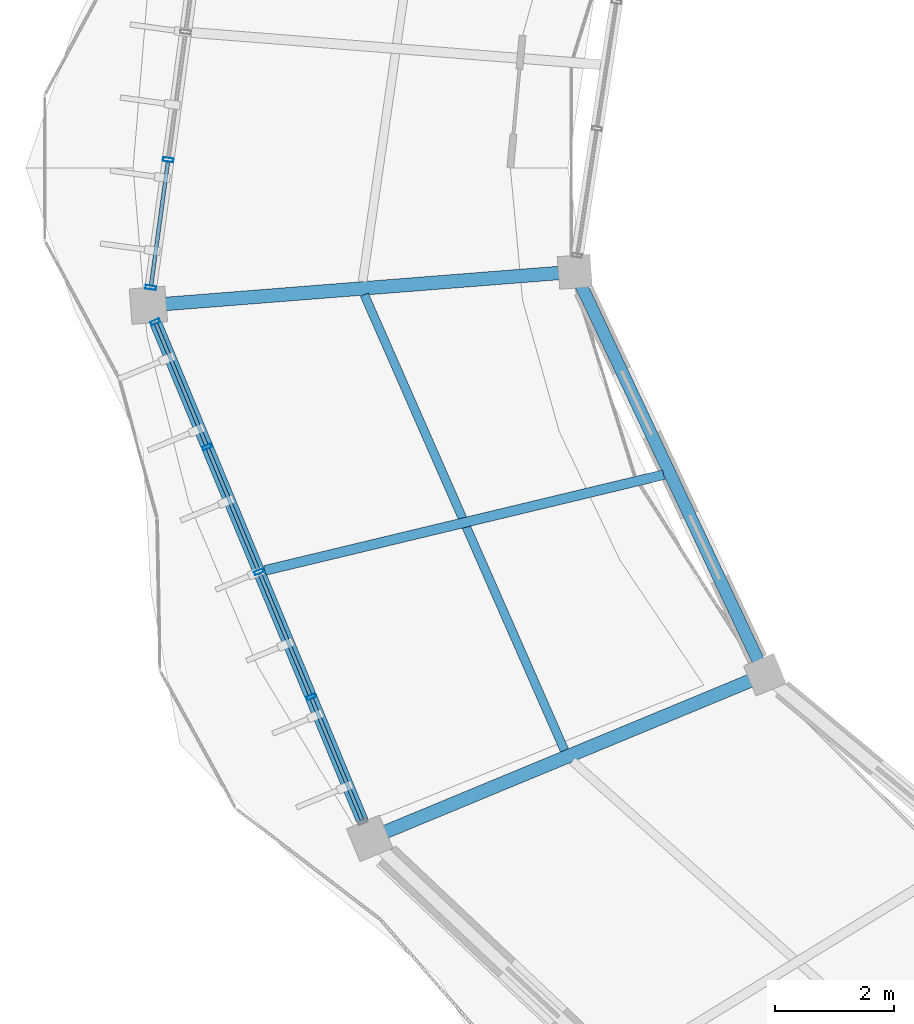
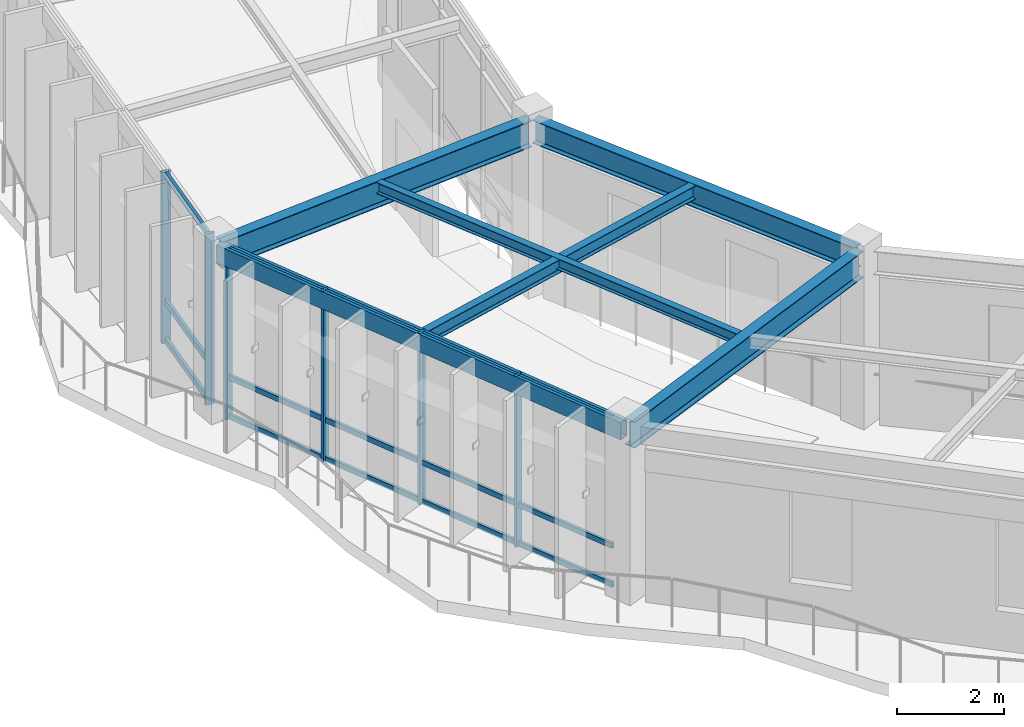
# One storey, part 17 of 83: 21 members, 6 beams, 2 elements without a shape of their own.
"""IFC4 building model written with IfcOpenShell, lengths in metres."""

from ifc_helpers import new_model, si_unit, direction, frame, origin, origin_2d, place, context, subcontext, project, spatial, hollow_rectangle, i_section, extrude, material, material_profile, profile_set, type_object, element, aggregate, save


model = new_model("IFC4")

# Units and contexts
model_context = context("Model", 3, precision=1e-05, world=origin(), true_north=direction((0.0, 1.0)))
body_context = subcontext(model_context, "Body", "Model", "MODEL_VIEW")
ifc_project = project(units=[si_unit("LENGTHUNIT", "METRE"), si_unit("AREAUNIT", "SQUARE_METRE"), si_unit("VOLUMEUNIT", "CUBIC_METRE"), si_unit("PLANEANGLEUNIT", "RADIAN"), si_unit("MASSUNIT", "GRAM", prefix="KILO"), si_unit("THERMODYNAMICTEMPERATUREUNIT", "KELVIN"), si_unit("POWERUNIT", "WATT")], contexts=[model_context])

# Site, building, storey
site_placement = place(None, origin())
site = spatial("IfcSite", under=ifc_project, at=site_placement, CompositionType="ELEMENT")
building_placement = place(site_placement, origin())
building = spatial("IfcBuilding", under=site, at=building_placement, Name="Darbajah Civic Hall", CompositionType="ELEMENT")
storey_placement = place(building_placement, frame((0.0, 0.0, 18.0)))
storey = spatial("IfcBuildingStorey", under=building, at=storey_placement, Name="L04", CompositionType="ELEMENT", Elevation=18.0)

# Curtain wall, members
ifc_material_1 = material(Name="Anodised Bronze Aluminium and Low-E Glazing", Category="aluminium")
curtain_wall_type_1 = type_object("IfcCurtainWallType", Name="Unitised Curtain Wall CW-59 9100x3900", PredefinedType="USERDEFINED", material=ifc_material_1)
curtain_wall_1_placement = place(storey_placement, origin())
curtain_wall_1 = element("IfcCurtainWall", 1, at=curtain_wall_1_placement, inside=storey, type_object=curtain_wall_type_1, Name="L04 unitised curtain wall CW-V1O-L04-10", ObjectType="UNITISED CURTAIN WALL", PredefinedType="USERDEFINED")
ifc_material_2 = material(Name="Anodised Bronze Aluminium", Category="aluminium")
ifc_material_profile_1 = material_profile(ifc_material_2, hollow_rectangle(XDim=0.06005859375, YDim=0.159912109375, WallThickness=0.00341796875, at=origin_2d()), Name="ALU MULLION 60x160")
ifc_profile_set_1 = profile_set([ifc_material_profile_1], Name="Anodised Bronze Aluminium")
member_type_1 = type_object("IfcMemberType", Name="ALU MULLION 60x160", PredefinedType="MULLION", material=ifc_profile_set_1)
member_1_placement = place(storey_placement, frame((38.373046875, 87.20654296875, 0.0), z_axis=(0.0, 0.0, 1.0), x_axis=(0.383328328644, -0.923612143954, 0.0)))
member_1 = element("IfcMember", 2, at=member_1_placement, type_object=member_type_1, Name="CW-V1O-L04-10 mullion 1", PredefinedType="MULLION", context=body_context, shape_type="SweptSolid", body=[
    extrude(hollow_rectangle(XDim=0.06005859375, YDim=0.159912109375, WallThickness=0.00341796875, at=origin_2d()), origin(), (0.0, 0.0, 1.0), 3.919921875),
])
member_2_placement = place(storey_placement, frame((39.246337890625, 85.102294921875, 0.0), z_axis=(0.0, 0.0, 1.0), x_axis=(0.383328328644, -0.923612143954, 0.0)))
member_2 = element("IfcMember", 3, at=member_2_placement, type_object=member_type_1, Name="CW-V1O-L04-10 mullion 2", PredefinedType="MULLION", context=body_context, shape_type="SweptSolid", body=[
    extrude(hollow_rectangle(XDim=0.06005859375, YDim=0.159912109375, WallThickness=0.00341796875, at=origin_2d()), origin(), (0.0, 0.0, 1.0), 3.919921875),
])
member_3_placement = place(storey_placement, frame((40.11962890625, 82.998046875, 0.0), z_axis=(0.0, 0.0, 1.0), x_axis=(0.383328328644, -0.923612143954, 0.0)))
member_3 = element("IfcMember", 4, at=member_3_placement, type_object=member_type_1, Name="CW-V1O-L04-10 mullion 3", PredefinedType="MULLION", context=body_context, shape_type="SweptSolid", body=[
    extrude(hollow_rectangle(XDim=0.06005859375, YDim=0.159912109375, WallThickness=0.00341796875, at=origin_2d()), origin(), (0.0, 0.0, 1.0), 3.919921875),
])
member_4_placement = place(storey_placement, frame((40.992919921875, 80.893798828125, 0.0), z_axis=(0.0, 0.0, 1.0), x_axis=(0.383328328644, -0.923612143954, 0.0)))
member_4 = element("IfcMember", 5, at=member_4_placement, type_object=member_type_1, Name="CW-V1O-L04-10 mullion 4", PredefinedType="MULLION", context=body_context, shape_type="SweptSolid", body=[
    extrude(hollow_rectangle(XDim=0.06005859375, YDim=0.159912109375, WallThickness=0.00341796875, at=origin_2d()), origin(), (0.0, 0.0, 1.0), 3.919921875),
])

curtain_wall_type_2 = type_object("IfcCurtainWallType", Name="Unitised Curtain Wall CW-69 8700x3900", PredefinedType="USERDEFINED", material=ifc_material_1)
curtain_wall_2_placement = place(storey_placement, origin())
curtain_wall_2 = element("IfcCurtainWall", 6, at=curtain_wall_2_placement, inside=storey, type_object=curtain_wall_type_2, Name="L04 unitised curtain wall CW-V1O-L04-09", ObjectType="UNITISED CURTAIN WALL", PredefinedType="USERDEFINED")
ifc_material_profile_2 = material_profile(ifc_material_2, hollow_rectangle(XDim=0.06494140625, YDim=0.179931640625, WallThickness=0.00390625, at=origin_2d()), Name="ALU MULLION 65x180")
ifc_profile_set_2 = profile_set([ifc_material_profile_2], Name="Anodised Bronze Aluminium")
member_type_2 = type_object("IfcMemberType", Name="ALU MULLION 65x180", PredefinedType="MULLION", material=ifc_profile_set_2)
member_5_placement = place(storey_placement, frame((38.590576171875, 89.935302734375, 0.0), z_axis=(0.0, 0.0, 1.0), x_axis=(-0.134850930274, -0.990865897387, 0.0)))
member_5 = element("IfcMember", 7, at=member_5_placement, type_object=member_type_2, Name="CW-V1O-L04-09 mullion 4", PredefinedType="MULLION", context=body_context, shape_type="SweptSolid", body=[
    extrude(hollow_rectangle(XDim=0.06494140625, YDim=0.179931640625, WallThickness=0.00390625, at=origin_2d()), origin(), (0.0, 0.0, 1.0), 3.919921875),
])
member_6_placement = place(storey_placement, frame((38.2978515625, 87.78466796875, 0.0), z_axis=(0.0, 0.0, 1.0), x_axis=(-0.134850930274, -0.990865897387, 0.0)))
member_6 = element("IfcMember", 8, at=member_6_placement, type_object=member_type_2, Name="CW-V1O-L04-09 mullion 5", PredefinedType="MULLION", context=body_context, shape_type="SweptSolid", body=[
    extrude(hollow_rectangle(XDim=0.06494140625, YDim=0.179931640625, WallThickness=0.00390625, at=origin_2d()), origin(), (0.0, 0.0, 1.0), 3.919921875),
])

# Member
ifc_material_profile_3 = material_profile(ifc_material_2, hollow_rectangle(XDim=0.06005859375, YDim=0.1201171875, WallThickness=0.003173828125, at=origin_2d()), Name="ALU TRANSOM 60x120")
ifc_profile_set_3 = profile_set([ifc_material_profile_3], Name="Anodised Bronze Aluminium")
member_type_3 = type_object("IfcMemberType", Name="ALU TRANSOM 60x120", PredefinedType="USERDEFINED", material=ifc_profile_set_3)
member_7_placement = place(storey_placement, frame((38.386474609375, 87.17431640625, 0.06005859375), z_axis=(0.383311831513, -0.923618990614, 0.0), x_axis=(0.923618990614, 0.383311831513, 0.0)))
member_7 = element("IfcMember", 9, at=member_7_placement, type_object=member_type_3, Name="CW-V1O-L04-10 transom 1.1", ObjectType="TRANSOM", PredefinedType="USERDEFINED", context=body_context, shape_type="SweptSolid", body=[
    extrude(hollow_rectangle(XDim=0.06005859375, YDim=0.1201171875, WallThickness=0.003173828125, at=origin_2d()), origin(), (0.0, 0.0, 1.0), 2.208251953125),
])

member_8_placement = place(storey_placement, frame((38.386474609375, 87.17431640625, 0.949951171875), z_axis=(0.383311831513, -0.923618990614, 0.0), x_axis=(0.923618990614, 0.383311831513, 0.0)))
member_8 = element("IfcMember", 10, at=member_8_placement, type_object=member_type_3, Name="CW-V1O-L04-10 transom 1.2", ObjectType="TRANSOM", PredefinedType="USERDEFINED", context=body_context, shape_type="SweptSolid", body=[
    extrude(hollow_rectangle(XDim=0.06005859375, YDim=0.1201171875, WallThickness=0.003173828125, at=origin_2d()), origin(), (0.0, 0.0, 1.0), 2.208251953125),
])

member_9_placement = place(storey_placement, frame((38.386474609375, 87.17431640625, 3.860107421875), z_axis=(0.383311831513, -0.923618990614, 0.0), x_axis=(0.923618990614, 0.383311831513, 0.0)))
member_9 = element("IfcMember", 11, at=member_9_placement, type_object=member_type_3, Name="CW-V1O-L04-10 transom 1.3", ObjectType="TRANSOM", PredefinedType="USERDEFINED", context=body_context, shape_type="SweptSolid", body=[
    extrude(hollow_rectangle(XDim=0.06005859375, YDim=0.1201171875, WallThickness=0.003173828125, at=origin_2d()), origin(), (0.0, 0.0, 1.0), 2.208251953125),
])

member_10_placement = place(storey_placement, frame((39.259765625, 85.070068359375, 0.06005859375), z_axis=(0.383311831513, -0.923618990614, 0.0), x_axis=(0.923618990614, 0.383311831513, 0.0)))
member_10 = element("IfcMember", 12, at=member_10_placement, type_object=member_type_3, Name="CW-V1O-L04-10 transom 2.1", ObjectType="TRANSOM", PredefinedType="USERDEFINED", context=body_context, shape_type="SweptSolid", body=[
    extrude(hollow_rectangle(XDim=0.06005859375, YDim=0.1201171875, WallThickness=0.003173828125, at=origin_2d()), origin(), (0.0, 0.0, 1.0), 2.208251953125),
])

member_11_placement = place(storey_placement, frame((39.259765625, 85.070068359375, 0.949951171875), z_axis=(0.383311831513, -0.923618990614, 0.0), x_axis=(0.923618990614, 0.383311831513, 0.0)))
member_11 = element("IfcMember", 13, at=member_11_placement, type_object=member_type_3, Name="CW-V1O-L04-10 transom 2.2", ObjectType="TRANSOM", PredefinedType="USERDEFINED", context=body_context, shape_type="SweptSolid", body=[
    extrude(hollow_rectangle(XDim=0.06005859375, YDim=0.1201171875, WallThickness=0.003173828125, at=origin_2d()), origin(), (0.0, 0.0, 1.0), 2.208251953125),
])

member_12_placement = place(storey_placement, frame((39.259765625, 85.070068359375, 3.860107421875), z_axis=(0.383311831513, -0.923618990614, 0.0), x_axis=(0.923618990614, 0.383311831513, 0.0)))
member_12 = element("IfcMember", 14, at=member_12_placement, type_object=member_type_3, Name="CW-V1O-L04-10 transom 2.3", ObjectType="TRANSOM", PredefinedType="USERDEFINED", context=body_context, shape_type="SweptSolid", body=[
    extrude(hollow_rectangle(XDim=0.06005859375, YDim=0.1201171875, WallThickness=0.003173828125, at=origin_2d()), origin(), (0.0, 0.0, 1.0), 2.208251953125),
])

member_13_placement = place(storey_placement, frame((40.133056640625, 82.9658203125, 0.06005859375), z_axis=(0.383311831513, -0.923618990614, 0.0), x_axis=(0.923618990614, 0.383311831513, 0.0)))
member_13 = element("IfcMember", 15, at=member_13_placement, type_object=member_type_3, Name="CW-V1O-L04-10 transom 3.1", ObjectType="TRANSOM", PredefinedType="USERDEFINED", context=body_context, shape_type="SweptSolid", body=[
    extrude(hollow_rectangle(XDim=0.06005859375, YDim=0.1201171875, WallThickness=0.003173828125, at=origin_2d()), origin(), (0.0, 0.0, 1.0), 2.208251953125),
])

member_14_placement = place(storey_placement, frame((40.133056640625, 82.9658203125, 0.949951171875), z_axis=(0.383311831513, -0.923618990614, 0.0), x_axis=(0.923618990614, 0.383311831513, 0.0)))
member_14 = element("IfcMember", 16, at=member_14_placement, type_object=member_type_3, Name="CW-V1O-L04-10 transom 3.2", ObjectType="TRANSOM", PredefinedType="USERDEFINED", context=body_context, shape_type="SweptSolid", body=[
    extrude(hollow_rectangle(XDim=0.06005859375, YDim=0.1201171875, WallThickness=0.003173828125, at=origin_2d()), origin(), (0.0, 0.0, 1.0), 2.208251953125),
])

member_15_placement = place(storey_placement, frame((40.133056640625, 82.9658203125, 3.860107421875), z_axis=(0.383311831513, -0.923618990614, 0.0), x_axis=(0.923618990614, 0.383311831513, 0.0)))
member_15 = element("IfcMember", 17, at=member_15_placement, type_object=member_type_3, Name="CW-V1O-L04-10 transom 3.3", ObjectType="TRANSOM", PredefinedType="USERDEFINED", context=body_context, shape_type="SweptSolid", body=[
    extrude(hollow_rectangle(XDim=0.06005859375, YDim=0.1201171875, WallThickness=0.003173828125, at=origin_2d()), origin(), (0.0, 0.0, 1.0), 2.208251953125),
])

member_16_placement = place(storey_placement, frame((41.00634765625, 80.861572265625, 0.06005859375), z_axis=(0.383311831513, -0.923618990614, 0.0), x_axis=(0.923618990614, 0.383311831513, 0.0)))
member_16 = element("IfcMember", 18, at=member_16_placement, type_object=member_type_3, Name="CW-V1O-L04-10 transom 4.1", ObjectType="TRANSOM", PredefinedType="USERDEFINED", context=body_context, shape_type="SweptSolid", body=[
    extrude(hollow_rectangle(XDim=0.06005859375, YDim=0.1201171875, WallThickness=0.003173828125, at=origin_2d()), origin(), (0.0, 0.0, 1.0), 2.208251953125),
])

member_17_placement = place(storey_placement, frame((41.00634765625, 80.861572265625, 0.949951171875), z_axis=(0.383311831513, -0.923618990614, 0.0), x_axis=(0.923618990614, 0.383311831513, 0.0)))
member_17 = element("IfcMember", 19, at=member_17_placement, type_object=member_type_3, Name="CW-V1O-L04-10 transom 4.2", ObjectType="TRANSOM", PredefinedType="USERDEFINED", context=body_context, shape_type="SweptSolid", body=[
    extrude(hollow_rectangle(XDim=0.06005859375, YDim=0.1201171875, WallThickness=0.003173828125, at=origin_2d()), origin(), (0.0, 0.0, 1.0), 2.208251953125),
])

member_18_placement = place(storey_placement, frame((41.00634765625, 80.861572265625, 3.860107421875), z_axis=(0.383311831513, -0.923618990614, 0.0), x_axis=(0.923618990614, 0.383311831513, 0.0)))
member_18 = element("IfcMember", 20, at=member_18_placement, type_object=member_type_3, Name="CW-V1O-L04-10 transom 4.3", ObjectType="TRANSOM", PredefinedType="USERDEFINED", context=body_context, shape_type="SweptSolid", body=[
    extrude(hollow_rectangle(XDim=0.06005859375, YDim=0.1201171875, WallThickness=0.003173828125, at=origin_2d()), origin(), (0.0, 0.0, 1.0), 2.208251953125),
])

aggregate(curtain_wall_1, [member_1, member_2, member_3, member_4, member_7, member_8, member_9, member_10, member_11, member_12, member_13, member_14, member_15, member_16, member_17, member_18])

ifc_material_profile_4 = material_profile(ifc_material_2, hollow_rectangle(XDim=0.06494140625, YDim=0.139892578125, WallThickness=0.00341796875, at=origin_2d()), Name="ALU TRANSOM 65x140")
ifc_profile_set_4 = profile_set([ifc_material_profile_4], Name="Anodised Bronze Aluminium")
member_type_4 = type_object("IfcMemberType", Name="ALU TRANSOM 65x140", PredefinedType="USERDEFINED", material=ifc_profile_set_4)
member_19_placement = place(storey_placement, frame((38.58544921875, 89.898193359375, 0.070068359375), z_axis=(-0.134811621813, -0.990871246239, 0.0), x_axis=(0.990871246239, -0.134811621813, 0.0)))
member_19 = element("IfcMember", 21, at=member_19_placement, type_object=member_type_4, Name="CW-V1O-L04-09 transom 4.1", ObjectType="TRANSOM", PredefinedType="USERDEFINED", context=body_context, shape_type="SweptSolid", body=[
    extrude(hollow_rectangle(XDim=0.06494140625, YDim=0.139892578125, WallThickness=0.00341796875, at=origin_2d()), origin(), (0.0, 0.0, 1.0), 2.09521484375),
])

member_20_placement = place(storey_placement, frame((38.58544921875, 89.898193359375, 0.949951171875), z_axis=(-0.134811621813, -0.990871246239, 0.0), x_axis=(0.990871246239, -0.134811621813, 0.0)))
member_20 = element("IfcMember", 22, at=member_20_placement, type_object=member_type_4, Name="CW-V1O-L04-09 transom 4.2", ObjectType="TRANSOM", PredefinedType="USERDEFINED", context=body_context, shape_type="SweptSolid", body=[
    extrude(hollow_rectangle(XDim=0.06494140625, YDim=0.139892578125, WallThickness=0.00341796875, at=origin_2d()), origin(), (0.0, 0.0, 1.0), 2.09521484375),
])

member_21_placement = place(storey_placement, frame((38.58544921875, 89.898193359375, 3.85009765625), z_axis=(-0.134811621813, -0.990871246239, 0.0), x_axis=(0.990871246239, -0.134811621813, 0.0)))
member_21 = element("IfcMember", 23, at=member_21_placement, type_object=member_type_4, Name="CW-V1O-L04-09 transom 4.3", ObjectType="TRANSOM", PredefinedType="USERDEFINED", context=body_context, shape_type="SweptSolid", body=[
    extrude(hollow_rectangle(XDim=0.06494140625, YDim=0.139892578125, WallThickness=0.00341796875, at=origin_2d()), origin(), (0.0, 0.0, 1.0), 2.09521484375),
])

aggregate(curtain_wall_2, [member_5, member_6, member_19, member_20, member_21])

# Beams
ifc_material_3 = material(Name="Steel S355JR", Category="steel")
ifc_material_profile_5 = material_profile(ifc_material_3, hollow_rectangle(XDim=0.199951171875, YDim=0.39990234375, WallThickness=0.013916015625, at=origin_2d()), Name="RHS 400x200x14")
ifc_profile_set_5 = profile_set([ifc_material_profile_5], Name="Steel S355JR")
beam_type_1 = type_object("IfcBeamType", Name="RHS 400x200x14", PredefinedType="SPANDREL", material=ifc_profile_set_5)
beam_1_placement = place(storey_placement, frame((38.287841796875, 87.41162109375, 3.719970703125), z_axis=(0.38333984527, -0.923607364104, 0.0), x_axis=(0.923607364104, 0.38333984527, 0.0)))
element("IfcBeam", 24, at=beam_1_placement, inside=storey, type_object=beam_type_1, Name="L04 beam SP-RHS400", PredefinedType="SPANDREL", context=body_context, shape_type="SweptSolid", body=[
    extrude(hollow_rectangle(XDim=0.199951171875, YDim=0.39990234375, WallThickness=0.013916015625, at=origin_2d()), origin(), (0.0, 0.0, 1.0), 9.556884765625),
])
ifc_material_profile_6 = material_profile(ifc_material_3, i_section(OverallWidth=0.146484375, OverallDepth=0.256103515625, WebThickness=0.00634765625, FlangeThickness=0.010986328125, FilletRadius=0.007568359375, at=origin_2d()), Name="UB 254x146x37")
ifc_profile_set_6 = profile_set([ifc_material_profile_6], Name="Steel S355JR")
beam_type_2 = type_object("IfcBeamType", Name="UB 254x146x37", PredefinedType="JOIST", material=ifc_profile_set_6)
beam_2_placement = place(storey_placement, frame((41.892822265625, 87.66162109375, 3.7919921875), z_axis=(0.402255928137, -0.915527262444, 0.0), x_axis=(0.915527262444, 0.402255928137, 0.0)))
element("IfcBeam", 25, at=beam_2_placement, inside=storey, type_object=beam_type_2, Name="L04 beam SJ-254", PredefinedType="JOIST", context=body_context, shape_type="SweptSolid", body=[
    extrude(i_section(OverallWidth=0.146484375, OverallDepth=0.256103515625, WebThickness=0.00634765625, FlangeThickness=0.010986328125, FilletRadius=0.007568359375, at=origin_2d()), origin(), (0.0, 0.0, 1.0), 8.37451171875),
])
ifc_material_profile_7 = material_profile(ifc_material_3, i_section(OverallWidth=0.165771484375, OverallDepth=0.306640625, WebThickness=0.006591796875, FlangeThickness=0.01171875, FilletRadius=0.0087890625, at=origin_2d()), Name="UB 305x165x46")
ifc_profile_set_7 = profile_set([ifc_material_profile_7], Name="Steel S355JR")
beam_type_3 = type_object("IfcBeamType", Name="UB 305x165x46", PredefinedType="JOIST", material=ifc_profile_set_7)
beam_3_placement = place(storey_placement, frame((46.931396484375, 84.633544921875, 3.7666015625), z_axis=(-0.972369643286, -0.233446518106, 0.0), x_axis=(0.233446518106, -0.972369643286, 0.0)))
element("IfcBeam", 26, at=beam_3_placement, inside=storey, type_object=beam_type_3, Name="L04 beam SJ-305", PredefinedType="JOIST", context=body_context, shape_type="SweptSolid", body=[
    extrude(i_section(OverallWidth=0.165771484375, OverallDepth=0.306640625, WebThickness=0.006591796875, FlangeThickness=0.01171875, FilletRadius=0.0087890625, at=origin_2d()), origin(), (0.0, 0.0, 1.0), 6.9033203125),
])
ifc_material_profile_8 = material_profile(ifc_material_3, i_section(OverallWidth=0.209228515625, OverallDepth=0.533203125, WebThickness=0.010009765625, FlangeThickness=0.015625, FilletRadius=0.0126953125, at=origin_2d()), Name="UB 533x210x92")
ifc_profile_set_8 = profile_set([ifc_material_profile_8], Name="Steel S355JR")
beam_type_4 = type_object("IfcBeamType", Name="UB 533x210x92", PredefinedType="BEAM", material=ifc_profile_set_8)
beam_4_placement = place(storey_placement, frame((45.468994140625, 87.97802734375, 3.653564453125), z_axis=(0.426541677675, -0.904467908334, 0.0), x_axis=(0.904467908334, 0.426541677675, 0.0)))
element("IfcBeam", 27, at=beam_4_placement, inside=storey, type_object=beam_type_4, Name="L04 beam SB-533", PredefinedType="BEAM", context=body_context, shape_type="SweptSolid", body=[
    extrude(i_section(OverallWidth=0.209228515625, OverallDepth=0.533203125, WebThickness=0.010009765625, FlangeThickness=0.015625, FilletRadius=0.0126953125, at=origin_2d()), origin(), (0.0, 0.0, 1.0), 7.340576171875),
])
ifc_material_profile_9 = material_profile(ifc_material_3, i_section(OverallWidth=0.228271484375, OverallDepth=0.607666015625, WebThickness=0.010986328125, FlangeThickness=0.017333984375, FilletRadius=0.0126953125, at=origin_2d()), Name="UB 610x229x113")
ifc_profile_set_9 = profile_set([ifc_material_profile_9], Name="Steel S355JR")
beam_type_5 = type_object("IfcBeamType", Name="UB 610x229x113", PredefinedType="BEAM", material=ifc_profile_set_9)
beam_5_placement = place(storey_placement, frame((45.355224609375, 88.044189453125, 3.6162109375), z_axis=(-0.996915809033, -0.078478466478, 0.0), x_axis=(0.078478466478, -0.996915809033, 0.0)))
element("IfcBeam", 28, at=beam_5_placement, inside=storey, type_object=beam_type_5, Name="L04 beam SB-610", PredefinedType="BEAM", context=body_context, shape_type="SweptSolid", body=[
    extrude(i_section(OverallWidth=0.228271484375, OverallDepth=0.607666015625, WebThickness=0.010986328125, FlangeThickness=0.017333984375, FilletRadius=0.0126953125, at=origin_2d()), origin(), (0.0, 0.0, 1.0), 7.0400390625),
])
beam_6_placement = place(storey_placement, frame((48.560302734375, 81.235595703125, 3.6162109375), z_axis=(-0.923885389571, -0.382669291867, 0.0), x_axis=(0.382669291867, -0.923885389571, 0.0)))
element("IfcBeam", 29, at=beam_6_placement, inside=storey, type_object=beam_type_5, Name="L04 beam SB-610", PredefinedType="BEAM", context=body_context, shape_type="SweptSolid", body=[
    extrude(i_section(OverallWidth=0.228271484375, OverallDepth=0.607666015625, WebThickness=0.010986328125, FlangeThickness=0.017333984375, FilletRadius=0.0126953125, at=origin_2d()), origin(), (0.0, 0.0, 1.0), 7.040283203125),
])

save(model, "model.ifc")
